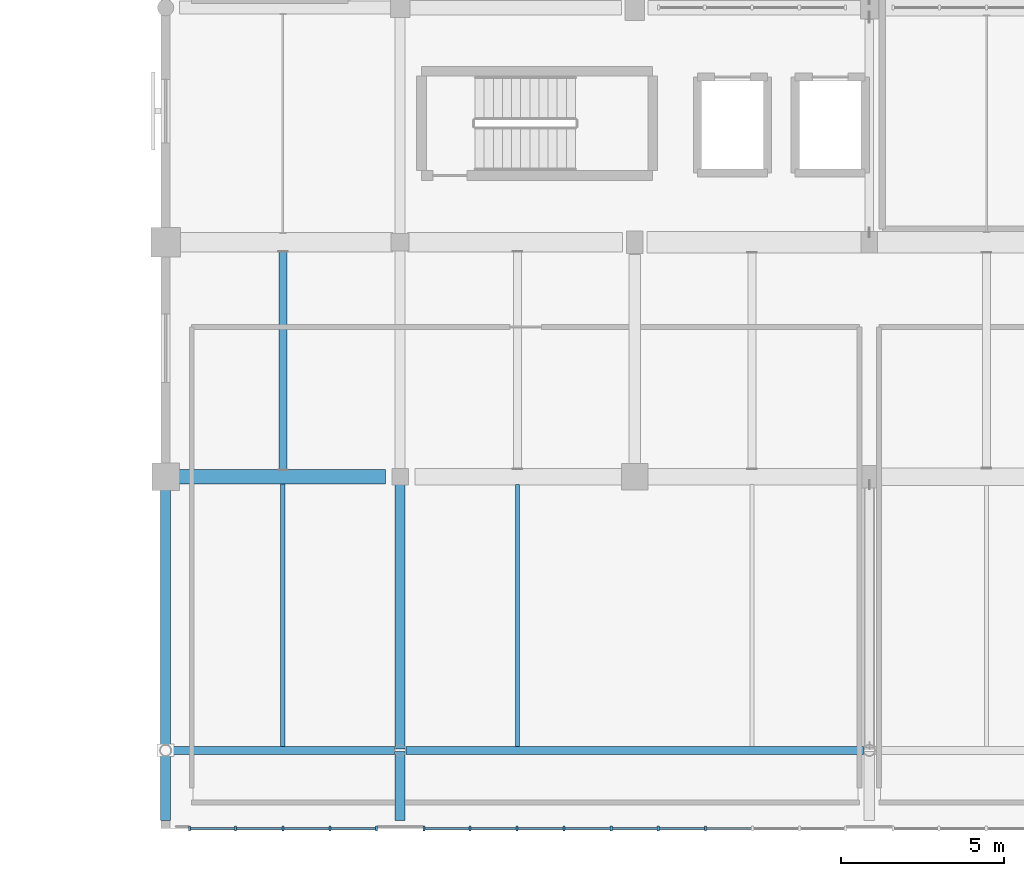
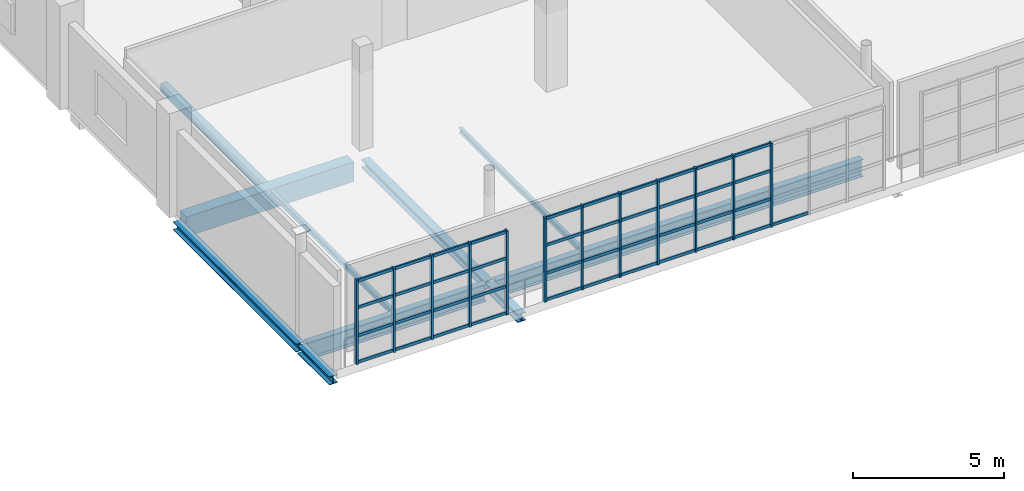
# One storey, part 23 of 90: 53 members, 10 beams, 2 elements without a shape of their own.
"""IFC4 building model written with IfcOpenShell, lengths in metres."""

from ifc_helpers import new_model, si_unit, direction, frame, origin, origin_2d, place, context, subcontext, project, spatial, rectangle, hollow_rectangle, i_section, extrude, material, material_profile, profile_set, type_object, element, aggregate, save


model = new_model("IFC4")

# Units and contexts
model_context = context("Model", 3, precision=1e-05, world=origin(), true_north=direction((0.0, 1.0)))
body_context = subcontext(model_context, "Body", "Model", "MODEL_VIEW")
ifc_project = project(units=[si_unit("LENGTHUNIT", "METRE"), si_unit("AREAUNIT", "SQUARE_METRE"), si_unit("VOLUMEUNIT", "CUBIC_METRE"), si_unit("PLANEANGLEUNIT", "RADIAN"), si_unit("MASSUNIT", "GRAM", prefix="KILO")], contexts=[model_context])

# Site, building, storey
site_placement = place(None, origin())
site = spatial("IfcSite", under=ifc_project, at=site_placement, CompositionType="ELEMENT")
building_placement = place(site_placement, origin())
building = spatial("IfcBuilding", under=site, at=building_placement, Name="Solanera Park Tramway Depot", CompositionType="ELEMENT")
storey_placement = place(building_placement, frame((0.0, 0.0, 9.0)))
storey = spatial("IfcBuildingStorey", under=building, at=storey_placement, Name="L02", CompositionType="ELEMENT", Elevation=9.0)

# Curtain wall, members
ifc_material_1 = material(Name="Bronze-anodised thermally broken aluminium curtain wall", Category="aluminium")
curtain_wall_type = type_object("IfcCurtainWallType", Name="Cantilevered OCC Inclined Glazing Wall", PredefinedType="NOTDEFINED", material=ifc_material_1)
curtain_wall_1_placement = place(storey_placement, origin())
curtain_wall_1 = element("IfcCurtainWall", 1, at=curtain_wall_1_placement, inside=storey, type_object=curtain_wall_type, Name="L02 Cantilevered OCC Inclined Glazing Wall #114", PredefinedType="NOTDEFINED")
ifc_material_2 = material(Name="Bronze-anodised structural aluminium 6063-T6", Category="aluminium")
ifc_material_profile_1 = material_profile(ifc_material_2, rectangle(XDim=0.06494140625, YDim=0.14990234375, at=origin_2d()), Name="Curtain Wall Mullion 65x150")
ifc_profile_set_1 = profile_set([ifc_material_profile_1], Name="Bronze-anodised structural aluminium 6063-T6")
member_type_1 = type_object("IfcMemberType", Name="Curtain Wall Mullion 65x150", PredefinedType="MULLION", material=ifc_profile_set_1)
member_1_placement = place(storey_placement, frame((108.732421875, 0.0, 0.0), z_axis=(0.0, 0.0, 1.0), x_axis=(1.0, 0.0, 0.0)))
member_1 = element("IfcMember", 2, at=member_1_placement, type_object=member_type_1, Name="CW-L02-114 Mullion 1", PredefinedType="MULLION", context=body_context, shape_type="SweptSolid", body=[
    extrude(rectangle(XDim=0.06494140625, YDim=0.14990234375, at=origin_2d()), origin(), (0.0, 0.0, 1.0), 3.39990234375),
])
member_2_placement = place(storey_placement, frame((110.14990234375, 0.0, 0.0), z_axis=(0.0, 0.0, 1.0), x_axis=(1.0, 0.0, 0.0)))
member_2 = element("IfcMember", 3, at=member_2_placement, type_object=member_type_1, Name="CW-L02-114 Mullion 2", PredefinedType="MULLION", context=body_context, shape_type="SweptSolid", body=[
    extrude(rectangle(XDim=0.06494140625, YDim=0.14990234375, at=origin_2d()), origin(), (0.0, 0.0, 1.0), 3.39990234375),
])
member_3_placement = place(storey_placement, frame((111.60009765625, 0.0, 0.0), z_axis=(0.0, 0.0, 1.0), x_axis=(1.0, 0.0, 0.0)))
member_3 = element("IfcMember", 4, at=member_3_placement, type_object=member_type_1, Name="CW-L02-114 Mullion 3", PredefinedType="MULLION", context=body_context, shape_type="SweptSolid", body=[
    extrude(rectangle(XDim=0.06494140625, YDim=0.14990234375, at=origin_2d()), origin(), (0.0, 0.0, 1.0), 3.39990234375),
])
member_4_placement = place(storey_placement, frame((113.050048828125, 0.0, 0.0), z_axis=(0.0, 0.0, 1.0), x_axis=(1.0, 0.0, 0.0)))
member_4 = element("IfcMember", 5, at=member_4_placement, type_object=member_type_1, Name="CW-L02-114 Mullion 4", PredefinedType="MULLION", context=body_context, shape_type="SweptSolid", body=[
    extrude(rectangle(XDim=0.06494140625, YDim=0.14990234375, at=origin_2d()), origin(), (0.0, 0.0, 1.0), 3.39990234375),
])
member_5_placement = place(storey_placement, frame((114.467529296875, 0.0, 0.0), z_axis=(0.0, 0.0, 1.0), x_axis=(1.0, 0.0, 0.0)))
member_5 = element("IfcMember", 6, at=member_5_placement, type_object=member_type_1, Name="CW-L02-114 Mullion 5", PredefinedType="MULLION", context=body_context, shape_type="SweptSolid", body=[
    extrude(rectangle(XDim=0.06494140625, YDim=0.14990234375, at=origin_2d()), origin(), (0.0, 0.0, 1.0), 3.39990234375),
])

curtain_wall_2_placement = place(storey_placement, origin())
curtain_wall_2 = element("IfcCurtainWall", 7, at=curtain_wall_2_placement, inside=storey, type_object=curtain_wall_type, Name="L02 Cantilevered OCC Inclined Glazing Wall #115", PredefinedType="NOTDEFINED")
member_6_placement = place(storey_placement, frame((115.9326171875, 0.0, 0.0), z_axis=(0.0, 0.0, 1.0), x_axis=(1.0, 0.0, 0.0)))
member_6 = element("IfcMember", 8, at=member_6_placement, type_object=member_type_1, Name="CW-L02-115 Mullion 1", PredefinedType="MULLION", context=body_context, shape_type="SweptSolid", body=[
    extrude(rectangle(XDim=0.06494140625, YDim=0.14990234375, at=origin_2d()), origin(), (0.0, 0.0, 1.0), 3.39990234375),
])
member_7_placement = place(storey_placement, frame((117.344482421875, 0.0, 0.0), z_axis=(0.0, 0.0, 1.0), x_axis=(1.0, 0.0, 0.0)))
member_7 = element("IfcMember", 9, at=member_7_placement, type_object=member_type_1, Name="CW-L02-115 Mullion 2", PredefinedType="MULLION", context=body_context, shape_type="SweptSolid", body=[
    extrude(rectangle(XDim=0.06494140625, YDim=0.14990234375, at=origin_2d()), origin(), (0.0, 0.0, 1.0), 3.39990234375),
])
member_8_placement = place(storey_placement, frame((118.788818359375, 0.0, 0.0), z_axis=(0.0, 0.0, 1.0), x_axis=(1.0, 0.0, 0.0)))
member_8 = element("IfcMember", 10, at=member_8_placement, type_object=member_type_1, Name="CW-L02-115 Mullion 3", PredefinedType="MULLION", context=body_context, shape_type="SweptSolid", body=[
    extrude(rectangle(XDim=0.06494140625, YDim=0.14990234375, at=origin_2d()), origin(), (0.0, 0.0, 1.0), 3.39990234375),
])
member_9_placement = place(storey_placement, frame((120.2333984375, 0.0, 0.0), z_axis=(0.0, 0.0, 1.0), x_axis=(1.0, 0.0, 0.0)))
member_9 = element("IfcMember", 11, at=member_9_placement, type_object=member_type_1, Name="CW-L02-115 Mullion 4", PredefinedType="MULLION", context=body_context, shape_type="SweptSolid", body=[
    extrude(rectangle(XDim=0.06494140625, YDim=0.14990234375, at=origin_2d()), origin(), (0.0, 0.0, 1.0), 3.39990234375),
])
member_10_placement = place(storey_placement, frame((121.677734375, 0.0, 0.0), z_axis=(0.0, 0.0, 1.0), x_axis=(1.0, 0.0, 0.0)))
member_10 = element("IfcMember", 12, at=member_10_placement, type_object=member_type_1, Name="CW-L02-115 Mullion 5", PredefinedType="MULLION", context=body_context, shape_type="SweptSolid", body=[
    extrude(rectangle(XDim=0.06494140625, YDim=0.14990234375, at=origin_2d()), origin(), (0.0, 0.0, 1.0), 3.39990234375),
])
member_11_placement = place(storey_placement, frame((123.122314453125, 0.0, 0.0), z_axis=(0.0, 0.0, 1.0), x_axis=(1.0, 0.0, 0.0)))
member_11 = element("IfcMember", 13, at=member_11_placement, type_object=member_type_1, Name="CW-L02-115 Mullion 6", PredefinedType="MULLION", context=body_context, shape_type="SweptSolid", body=[
    extrude(rectangle(XDim=0.06494140625, YDim=0.14990234375, at=origin_2d()), origin(), (0.0, 0.0, 1.0), 3.39990234375),
])
member_12_placement = place(storey_placement, frame((124.566650390625, 0.0, 0.0), z_axis=(0.0, 0.0, 1.0), x_axis=(1.0, 0.0, 0.0)))
member_12 = element("IfcMember", 14, at=member_12_placement, type_object=member_type_1, Name="CW-L02-115 Mullion 7", PredefinedType="MULLION", context=body_context, shape_type="SweptSolid", body=[
    extrude(rectangle(XDim=0.06494140625, YDim=0.14990234375, at=origin_2d()), origin(), (0.0, 0.0, 1.0), 3.39990234375),
])

# Member
ifc_material_3 = material(Name="Bronze-anodised structural aluminium 6063-T6", Category="aluminium")
ifc_material_profile_2 = material_profile(ifc_material_3, rectangle(XDim=0.06494140625, YDim=0.1201171875, at=origin_2d()), Name="Curtain Wall Transom 65x120")
ifc_profile_set_2 = profile_set([ifc_material_profile_2], Name="Bronze-anodised structural aluminium 6063-T6")
member_type_2 = type_object("IfcMemberType", Name="Curtain Wall Transom 65x120", PredefinedType="USERDEFINED", material=ifc_profile_set_2)
member_13_placement = place(storey_placement, frame((108.760498046875, 0.0, 0.06005859375), z_axis=(1.0, 0.0, 0.0), x_axis=(0.0, 1.0, 0.0)))
member_13 = element("IfcMember", 15, at=member_13_placement, type_object=member_type_2, Name="CW-L02-114 Transom R1.C1", ObjectType="TRANSOM", PredefinedType="USERDEFINED", context=body_context, shape_type="SweptSolid", body=[
    extrude(rectangle(XDim=0.06494140625, YDim=0.1201171875, at=origin_2d()), origin(), (0.0, 0.0, 1.0), 1.361572265625),
])

member_14_placement = place(storey_placement, frame((110.177978515625, 0.0, 0.06005859375), z_axis=(1.0, 0.0, 0.0), x_axis=(0.0, 1.0, 0.0)))
member_14 = element("IfcMember", 16, at=member_14_placement, type_object=member_type_2, Name="CW-L02-114 Transom R1.C2", ObjectType="TRANSOM", PredefinedType="USERDEFINED", context=body_context, shape_type="SweptSolid", body=[
    extrude(rectangle(XDim=0.06494140625, YDim=0.1201171875, at=origin_2d()), origin(), (0.0, 0.0, 1.0), 1.39404296875),
])

member_15_placement = place(storey_placement, frame((111.6279296875, 0.0, 0.06005859375), z_axis=(1.0, 0.0, 0.0), x_axis=(0.0, 1.0, 0.0)))
member_15 = element("IfcMember", 17, at=member_15_placement, type_object=member_type_2, Name="CW-L02-114 Transom R1.C3", ObjectType="TRANSOM", PredefinedType="USERDEFINED", context=body_context, shape_type="SweptSolid", body=[
    extrude(rectangle(XDim=0.06494140625, YDim=0.1201171875, at=origin_2d()), origin(), (0.0, 0.0, 1.0), 1.39404296875),
])

member_16_placement = place(storey_placement, frame((113.077880859375, 0.0, 0.06005859375), z_axis=(1.0, 0.0, 0.0), x_axis=(0.0, 1.0, 0.0)))
member_16 = element("IfcMember", 18, at=member_16_placement, type_object=member_type_2, Name="CW-L02-114 Transom R1.C4", ObjectType="TRANSOM", PredefinedType="USERDEFINED", context=body_context, shape_type="SweptSolid", body=[
    extrude(rectangle(XDim=0.06494140625, YDim=0.1201171875, at=origin_2d()), origin(), (0.0, 0.0, 1.0), 1.361572265625),
])

member_17_placement = place(storey_placement, frame((108.760498046875, 0.0, 1.13330078125), z_axis=(1.0, 0.0, 0.0), x_axis=(0.0, 1.0, 0.0)))
member_17 = element("IfcMember", 19, at=member_17_placement, type_object=member_type_2, Name="CW-L02-114 Transom R2.C1", ObjectType="TRANSOM", PredefinedType="USERDEFINED", context=body_context, shape_type="SweptSolid", body=[
    extrude(rectangle(XDim=0.06494140625, YDim=0.1201171875, at=origin_2d()), origin(), (0.0, 0.0, 1.0), 1.361572265625),
])

member_18_placement = place(storey_placement, frame((110.177978515625, 0.0, 1.13330078125), z_axis=(1.0, 0.0, 0.0), x_axis=(0.0, 1.0, 0.0)))
member_18 = element("IfcMember", 20, at=member_18_placement, type_object=member_type_2, Name="CW-L02-114 Transom R2.C2", ObjectType="TRANSOM", PredefinedType="USERDEFINED", context=body_context, shape_type="SweptSolid", body=[
    extrude(rectangle(XDim=0.06494140625, YDim=0.1201171875, at=origin_2d()), origin(), (0.0, 0.0, 1.0), 1.39404296875),
])

member_19_placement = place(storey_placement, frame((111.6279296875, 0.0, 1.13330078125), z_axis=(1.0, 0.0, 0.0), x_axis=(0.0, 1.0, 0.0)))
member_19 = element("IfcMember", 21, at=member_19_placement, type_object=member_type_2, Name="CW-L02-114 Transom R2.C3", ObjectType="TRANSOM", PredefinedType="USERDEFINED", context=body_context, shape_type="SweptSolid", body=[
    extrude(rectangle(XDim=0.06494140625, YDim=0.1201171875, at=origin_2d()), origin(), (0.0, 0.0, 1.0), 1.39404296875),
])

member_20_placement = place(storey_placement, frame((113.077880859375, 0.0, 1.13330078125), z_axis=(1.0, 0.0, 0.0), x_axis=(0.0, 1.0, 0.0)))
member_20 = element("IfcMember", 22, at=member_20_placement, type_object=member_type_2, Name="CW-L02-114 Transom R2.C4", ObjectType="TRANSOM", PredefinedType="USERDEFINED", context=body_context, shape_type="SweptSolid", body=[
    extrude(rectangle(XDim=0.06494140625, YDim=0.1201171875, at=origin_2d()), origin(), (0.0, 0.0, 1.0), 1.361572265625),
])

member_21_placement = place(storey_placement, frame((108.760498046875, 0.0, 2.2666015625), z_axis=(1.0, 0.0, 0.0), x_axis=(0.0, 1.0, 0.0)))
member_21 = element("IfcMember", 23, at=member_21_placement, type_object=member_type_2, Name="CW-L02-114 Transom R3.C1", ObjectType="TRANSOM", PredefinedType="USERDEFINED", context=body_context, shape_type="SweptSolid", body=[
    extrude(rectangle(XDim=0.06494140625, YDim=0.1201171875, at=origin_2d()), origin(), (0.0, 0.0, 1.0), 1.361572265625),
])

member_22_placement = place(storey_placement, frame((110.177978515625, 0.0, 2.2666015625), z_axis=(1.0, 0.0, 0.0), x_axis=(0.0, 1.0, 0.0)))
member_22 = element("IfcMember", 24, at=member_22_placement, type_object=member_type_2, Name="CW-L02-114 Transom R3.C2", ObjectType="TRANSOM", PredefinedType="USERDEFINED", context=body_context, shape_type="SweptSolid", body=[
    extrude(rectangle(XDim=0.06494140625, YDim=0.1201171875, at=origin_2d()), origin(), (0.0, 0.0, 1.0), 1.39404296875),
])

member_23_placement = place(storey_placement, frame((111.6279296875, 0.0, 2.2666015625), z_axis=(1.0, 0.0, 0.0), x_axis=(0.0, 1.0, 0.0)))
member_23 = element("IfcMember", 25, at=member_23_placement, type_object=member_type_2, Name="CW-L02-114 Transom R3.C3", ObjectType="TRANSOM", PredefinedType="USERDEFINED", context=body_context, shape_type="SweptSolid", body=[
    extrude(rectangle(XDim=0.06494140625, YDim=0.1201171875, at=origin_2d()), origin(), (0.0, 0.0, 1.0), 1.39404296875),
])

member_24_placement = place(storey_placement, frame((113.077880859375, 0.0, 2.2666015625), z_axis=(1.0, 0.0, 0.0), x_axis=(0.0, 1.0, 0.0)))
member_24 = element("IfcMember", 26, at=member_24_placement, type_object=member_type_2, Name="CW-L02-114 Transom R3.C4", ObjectType="TRANSOM", PredefinedType="USERDEFINED", context=body_context, shape_type="SweptSolid", body=[
    extrude(rectangle(XDim=0.06494140625, YDim=0.1201171875, at=origin_2d()), origin(), (0.0, 0.0, 1.0), 1.361572265625),
])

member_25_placement = place(storey_placement, frame((108.760498046875, 0.0, 3.340087890625), z_axis=(1.0, 0.0, 0.0), x_axis=(0.0, 1.0, 0.0)))
member_25 = element("IfcMember", 27, at=member_25_placement, type_object=member_type_2, Name="CW-L02-114 Transom R4.C1", ObjectType="TRANSOM", PredefinedType="USERDEFINED", context=body_context, shape_type="SweptSolid", body=[
    extrude(rectangle(XDim=0.06494140625, YDim=0.1201171875, at=origin_2d()), origin(), (0.0, 0.0, 1.0), 1.361572265625),
])

member_26_placement = place(storey_placement, frame((110.177978515625, 0.0, 3.340087890625), z_axis=(1.0, 0.0, 0.0), x_axis=(0.0, 1.0, 0.0)))
member_26 = element("IfcMember", 28, at=member_26_placement, type_object=member_type_2, Name="CW-L02-114 Transom R4.C2", ObjectType="TRANSOM", PredefinedType="USERDEFINED", context=body_context, shape_type="SweptSolid", body=[
    extrude(rectangle(XDim=0.06494140625, YDim=0.1201171875, at=origin_2d()), origin(), (0.0, 0.0, 1.0), 1.39404296875),
])

member_27_placement = place(storey_placement, frame((111.6279296875, 0.0, 3.340087890625), z_axis=(1.0, 0.0, 0.0), x_axis=(0.0, 1.0, 0.0)))
member_27 = element("IfcMember", 29, at=member_27_placement, type_object=member_type_2, Name="CW-L02-114 Transom R4.C3", ObjectType="TRANSOM", PredefinedType="USERDEFINED", context=body_context, shape_type="SweptSolid", body=[
    extrude(rectangle(XDim=0.06494140625, YDim=0.1201171875, at=origin_2d()), origin(), (0.0, 0.0, 1.0), 1.39404296875),
])

member_28_placement = place(storey_placement, frame((113.077880859375, 0.0, 3.340087890625), z_axis=(1.0, 0.0, 0.0), x_axis=(0.0, 1.0, 0.0)))
member_28 = element("IfcMember", 30, at=member_28_placement, type_object=member_type_2, Name="CW-L02-114 Transom R4.C4", ObjectType="TRANSOM", PredefinedType="USERDEFINED", context=body_context, shape_type="SweptSolid", body=[
    extrude(rectangle(XDim=0.06494140625, YDim=0.1201171875, at=origin_2d()), origin(), (0.0, 0.0, 1.0), 1.361572265625),
])

aggregate(curtain_wall_1, [member_1, member_2, member_3, member_4, member_5, member_13, member_14, member_15, member_16, member_17, member_18, member_19, member_20, member_21, member_22, member_23, member_24, member_25, member_26, member_27, member_28])

member_29_placement = place(storey_placement, frame((115.96044921875, 0.0, 0.06005859375), z_axis=(1.0, 0.0, 0.0), x_axis=(0.0, 1.0, 0.0)))
member_29 = element("IfcMember", 31, at=member_29_placement, type_object=member_type_2, Name="CW-L02-115 Transom R1.C1", ObjectType="TRANSOM", PredefinedType="USERDEFINED", context=body_context, shape_type="SweptSolid", body=[
    extrude(rectangle(XDim=0.06494140625, YDim=0.1201171875, at=origin_2d()), origin(), (0.0, 0.0, 1.0), 1.35595703125),
])

member_30_placement = place(storey_placement, frame((117.372314453125, 0.0, 0.06005859375), z_axis=(1.0, 0.0, 0.0), x_axis=(0.0, 1.0, 0.0)))
member_30 = element("IfcMember", 32, at=member_30_placement, type_object=member_type_2, Name="CW-L02-115 Transom R1.C2", ObjectType="TRANSOM", PredefinedType="USERDEFINED", context=body_context, shape_type="SweptSolid", body=[
    extrude(rectangle(XDim=0.06494140625, YDim=0.1201171875, at=origin_2d()), origin(), (0.0, 0.0, 1.0), 1.388671875),
])

member_31_placement = place(storey_placement, frame((118.81689453125, 0.0, 0.06005859375), z_axis=(1.0, 0.0, 0.0), x_axis=(0.0, 1.0, 0.0)))
member_31 = element("IfcMember", 33, at=member_31_placement, type_object=member_type_2, Name="CW-L02-115 Transom R1.C3", ObjectType="TRANSOM", PredefinedType="USERDEFINED", context=body_context, shape_type="SweptSolid", body=[
    extrude(rectangle(XDim=0.06494140625, YDim=0.1201171875, at=origin_2d()), origin(), (0.0, 0.0, 1.0), 1.388427734375),
])

member_32_placement = place(storey_placement, frame((120.26123046875, 0.0, 0.06005859375), z_axis=(1.0, 0.0, 0.0), x_axis=(0.0, 1.0, 0.0)))
member_32 = element("IfcMember", 34, at=member_32_placement, type_object=member_type_2, Name="CW-L02-115 Transom R1.C4", ObjectType="TRANSOM", PredefinedType="USERDEFINED", context=body_context, shape_type="SweptSolid", body=[
    extrude(rectangle(XDim=0.06494140625, YDim=0.1201171875, at=origin_2d()), origin(), (0.0, 0.0, 1.0), 1.388671875),
])

member_33_placement = place(storey_placement, frame((121.705810546875, 0.0, 0.06005859375), z_axis=(1.0, 0.0, 0.0), x_axis=(0.0, 1.0, 0.0)))
member_33 = element("IfcMember", 35, at=member_33_placement, type_object=member_type_2, Name="CW-L02-115 Transom R1.C5", ObjectType="TRANSOM", PredefinedType="USERDEFINED", context=body_context, shape_type="SweptSolid", body=[
    extrude(rectangle(XDim=0.06494140625, YDim=0.1201171875, at=origin_2d()), origin(), (0.0, 0.0, 1.0), 1.388427734375),
])

member_34_placement = place(storey_placement, frame((123.150146484375, 0.0, 0.06005859375), z_axis=(1.0, 0.0, 0.0), x_axis=(0.0, 1.0, 0.0)))
member_34 = element("IfcMember", 36, at=member_34_placement, type_object=member_type_2, Name="CW-L02-115 Transom R1.C6", ObjectType="TRANSOM", PredefinedType="USERDEFINED", context=body_context, shape_type="SweptSolid", body=[
    extrude(rectangle(XDim=0.06494140625, YDim=0.1201171875, at=origin_2d()), origin(), (0.0, 0.0, 1.0), 1.388671875),
])

member_35_placement = place(storey_placement, frame((124.5947265625, 0.0, 0.06005859375), z_axis=(1.0, 0.0, 0.0), x_axis=(0.0, 1.0, 0.0)))
member_35 = element("IfcMember", 37, at=member_35_placement, type_object=member_type_2, Name="CW-L02-115 Transom R1.C7", ObjectType="TRANSOM", PredefinedType="USERDEFINED", context=body_context, shape_type="SweptSolid", body=[
    extrude(rectangle(XDim=0.06494140625, YDim=0.1201171875, at=origin_2d()), origin(), (0.0, 0.0, 1.0), 1.388427734375),
])

member_36_placement = place(storey_placement, frame((115.96044921875, 0.0, 1.13330078125), z_axis=(1.0, 0.0, 0.0), x_axis=(0.0, 1.0, 0.0)))
member_36 = element("IfcMember", 38, at=member_36_placement, type_object=member_type_2, Name="CW-L02-115 Transom R2.C1", ObjectType="TRANSOM", PredefinedType="USERDEFINED", context=body_context, shape_type="SweptSolid", body=[
    extrude(rectangle(XDim=0.06494140625, YDim=0.1201171875, at=origin_2d()), origin(), (0.0, 0.0, 1.0), 1.35595703125),
])

member_37_placement = place(storey_placement, frame((117.372314453125, 0.0, 1.13330078125), z_axis=(1.0, 0.0, 0.0), x_axis=(0.0, 1.0, 0.0)))
member_37 = element("IfcMember", 39, at=member_37_placement, type_object=member_type_2, Name="CW-L02-115 Transom R2.C2", ObjectType="TRANSOM", PredefinedType="USERDEFINED", context=body_context, shape_type="SweptSolid", body=[
    extrude(rectangle(XDim=0.06494140625, YDim=0.1201171875, at=origin_2d()), origin(), (0.0, 0.0, 1.0), 1.388671875),
])

member_38_placement = place(storey_placement, frame((118.81689453125, 0.0, 1.13330078125), z_axis=(1.0, 0.0, 0.0), x_axis=(0.0, 1.0, 0.0)))
member_38 = element("IfcMember", 40, at=member_38_placement, type_object=member_type_2, Name="CW-L02-115 Transom R2.C3", ObjectType="TRANSOM", PredefinedType="USERDEFINED", context=body_context, shape_type="SweptSolid", body=[
    extrude(rectangle(XDim=0.06494140625, YDim=0.1201171875, at=origin_2d()), origin(), (0.0, 0.0, 1.0), 1.388427734375),
])

member_39_placement = place(storey_placement, frame((120.26123046875, 0.0, 1.13330078125), z_axis=(1.0, 0.0, 0.0), x_axis=(0.0, 1.0, 0.0)))
member_39 = element("IfcMember", 41, at=member_39_placement, type_object=member_type_2, Name="CW-L02-115 Transom R2.C4", ObjectType="TRANSOM", PredefinedType="USERDEFINED", context=body_context, shape_type="SweptSolid", body=[
    extrude(rectangle(XDim=0.06494140625, YDim=0.1201171875, at=origin_2d()), origin(), (0.0, 0.0, 1.0), 1.388671875),
])

member_40_placement = place(storey_placement, frame((121.705810546875, 0.0, 1.13330078125), z_axis=(1.0, 0.0, 0.0), x_axis=(0.0, 1.0, 0.0)))
member_40 = element("IfcMember", 42, at=member_40_placement, type_object=member_type_2, Name="CW-L02-115 Transom R2.C5", ObjectType="TRANSOM", PredefinedType="USERDEFINED", context=body_context, shape_type="SweptSolid", body=[
    extrude(rectangle(XDim=0.06494140625, YDim=0.1201171875, at=origin_2d()), origin(), (0.0, 0.0, 1.0), 1.388427734375),
])

member_41_placement = place(storey_placement, frame((123.150146484375, 0.0, 1.13330078125), z_axis=(1.0, 0.0, 0.0), x_axis=(0.0, 1.0, 0.0)))
member_41 = element("IfcMember", 43, at=member_41_placement, type_object=member_type_2, Name="CW-L02-115 Transom R2.C6", ObjectType="TRANSOM", PredefinedType="USERDEFINED", context=body_context, shape_type="SweptSolid", body=[
    extrude(rectangle(XDim=0.06494140625, YDim=0.1201171875, at=origin_2d()), origin(), (0.0, 0.0, 1.0), 1.388671875),
])

member_42_placement = place(storey_placement, frame((115.96044921875, 0.0, 2.2666015625), z_axis=(1.0, 0.0, 0.0), x_axis=(0.0, 1.0, 0.0)))
member_42 = element("IfcMember", 44, at=member_42_placement, type_object=member_type_2, Name="CW-L02-115 Transom R3.C1", ObjectType="TRANSOM", PredefinedType="USERDEFINED", context=body_context, shape_type="SweptSolid", body=[
    extrude(rectangle(XDim=0.06494140625, YDim=0.1201171875, at=origin_2d()), origin(), (0.0, 0.0, 1.0), 1.35595703125),
])

member_43_placement = place(storey_placement, frame((117.372314453125, 0.0, 2.2666015625), z_axis=(1.0, 0.0, 0.0), x_axis=(0.0, 1.0, 0.0)))
member_43 = element("IfcMember", 45, at=member_43_placement, type_object=member_type_2, Name="CW-L02-115 Transom R3.C2", ObjectType="TRANSOM", PredefinedType="USERDEFINED", context=body_context, shape_type="SweptSolid", body=[
    extrude(rectangle(XDim=0.06494140625, YDim=0.1201171875, at=origin_2d()), origin(), (0.0, 0.0, 1.0), 1.388671875),
])

member_44_placement = place(storey_placement, frame((118.81689453125, 0.0, 2.2666015625), z_axis=(1.0, 0.0, 0.0), x_axis=(0.0, 1.0, 0.0)))
member_44 = element("IfcMember", 46, at=member_44_placement, type_object=member_type_2, Name="CW-L02-115 Transom R3.C3", ObjectType="TRANSOM", PredefinedType="USERDEFINED", context=body_context, shape_type="SweptSolid", body=[
    extrude(rectangle(XDim=0.06494140625, YDim=0.1201171875, at=origin_2d()), origin(), (0.0, 0.0, 1.0), 1.388427734375),
])

member_45_placement = place(storey_placement, frame((120.26123046875, 0.0, 2.2666015625), z_axis=(1.0, 0.0, 0.0), x_axis=(0.0, 1.0, 0.0)))
member_45 = element("IfcMember", 47, at=member_45_placement, type_object=member_type_2, Name="CW-L02-115 Transom R3.C4", ObjectType="TRANSOM", PredefinedType="USERDEFINED", context=body_context, shape_type="SweptSolid", body=[
    extrude(rectangle(XDim=0.06494140625, YDim=0.1201171875, at=origin_2d()), origin(), (0.0, 0.0, 1.0), 1.388671875),
])

member_46_placement = place(storey_placement, frame((121.705810546875, 0.0, 2.2666015625), z_axis=(1.0, 0.0, 0.0), x_axis=(0.0, 1.0, 0.0)))
member_46 = element("IfcMember", 48, at=member_46_placement, type_object=member_type_2, Name="CW-L02-115 Transom R3.C5", ObjectType="TRANSOM", PredefinedType="USERDEFINED", context=body_context, shape_type="SweptSolid", body=[
    extrude(rectangle(XDim=0.06494140625, YDim=0.1201171875, at=origin_2d()), origin(), (0.0, 0.0, 1.0), 1.388427734375),
])

member_47_placement = place(storey_placement, frame((123.150146484375, 0.0, 2.2666015625), z_axis=(1.0, 0.0, 0.0), x_axis=(0.0, 1.0, 0.0)))
member_47 = element("IfcMember", 49, at=member_47_placement, type_object=member_type_2, Name="CW-L02-115 Transom R3.C6", ObjectType="TRANSOM", PredefinedType="USERDEFINED", context=body_context, shape_type="SweptSolid", body=[
    extrude(rectangle(XDim=0.06494140625, YDim=0.1201171875, at=origin_2d()), origin(), (0.0, 0.0, 1.0), 1.388671875),
])

member_48_placement = place(storey_placement, frame((115.96044921875, 0.0, 3.340087890625), z_axis=(1.0, 0.0, 0.0), x_axis=(0.0, 1.0, 0.0)))
member_48 = element("IfcMember", 50, at=member_48_placement, type_object=member_type_2, Name="CW-L02-115 Transom R4.C1", ObjectType="TRANSOM", PredefinedType="USERDEFINED", context=body_context, shape_type="SweptSolid", body=[
    extrude(rectangle(XDim=0.06494140625, YDim=0.1201171875, at=origin_2d()), origin(), (0.0, 0.0, 1.0), 1.35595703125),
])

member_49_placement = place(storey_placement, frame((117.372314453125, 0.0, 3.340087890625), z_axis=(1.0, 0.0, 0.0), x_axis=(0.0, 1.0, 0.0)))
member_49 = element("IfcMember", 51, at=member_49_placement, type_object=member_type_2, Name="CW-L02-115 Transom R4.C2", ObjectType="TRANSOM", PredefinedType="USERDEFINED", context=body_context, shape_type="SweptSolid", body=[
    extrude(rectangle(XDim=0.06494140625, YDim=0.1201171875, at=origin_2d()), origin(), (0.0, 0.0, 1.0), 1.388671875),
])

member_50_placement = place(storey_placement, frame((118.81689453125, 0.0, 3.340087890625), z_axis=(1.0, 0.0, 0.0), x_axis=(0.0, 1.0, 0.0)))
member_50 = element("IfcMember", 52, at=member_50_placement, type_object=member_type_2, Name="CW-L02-115 Transom R4.C3", ObjectType="TRANSOM", PredefinedType="USERDEFINED", context=body_context, shape_type="SweptSolid", body=[
    extrude(rectangle(XDim=0.06494140625, YDim=0.1201171875, at=origin_2d()), origin(), (0.0, 0.0, 1.0), 1.388427734375),
])

member_51_placement = place(storey_placement, frame((120.26123046875, 0.0, 3.340087890625), z_axis=(1.0, 0.0, 0.0), x_axis=(0.0, 1.0, 0.0)))
member_51 = element("IfcMember", 53, at=member_51_placement, type_object=member_type_2, Name="CW-L02-115 Transom R4.C4", ObjectType="TRANSOM", PredefinedType="USERDEFINED", context=body_context, shape_type="SweptSolid", body=[
    extrude(rectangle(XDim=0.06494140625, YDim=0.1201171875, at=origin_2d()), origin(), (0.0, 0.0, 1.0), 1.388671875),
])

member_52_placement = place(storey_placement, frame((121.705810546875, 0.0, 3.340087890625), z_axis=(1.0, 0.0, 0.0), x_axis=(0.0, 1.0, 0.0)))
member_52 = element("IfcMember", 54, at=member_52_placement, type_object=member_type_2, Name="CW-L02-115 Transom R4.C5", ObjectType="TRANSOM", PredefinedType="USERDEFINED", context=body_context, shape_type="SweptSolid", body=[
    extrude(rectangle(XDim=0.06494140625, YDim=0.1201171875, at=origin_2d()), origin(), (0.0, 0.0, 1.0), 1.388427734375),
])

member_53_placement = place(storey_placement, frame((123.150146484375, 0.0, 3.340087890625), z_axis=(1.0, 0.0, 0.0), x_axis=(0.0, 1.0, 0.0)))
member_53 = element("IfcMember", 55, at=member_53_placement, type_object=member_type_2, Name="CW-L02-115 Transom R4.C6", ObjectType="TRANSOM", PredefinedType="USERDEFINED", context=body_context, shape_type="SweptSolid", body=[
    extrude(rectangle(XDim=0.06494140625, YDim=0.1201171875, at=origin_2d()), origin(), (0.0, 0.0, 1.0), 1.388671875),
])

aggregate(curtain_wall_2, [member_6, member_7, member_8, member_9, member_10, member_11, member_12, member_29, member_30, member_31, member_32, member_33, member_34, member_35, member_36, member_37, member_38, member_39, member_40, member_41, member_42, member_43, member_44, member_45, member_46, member_47, member_48, member_49, member_50, member_51, member_52, member_53])

# Beams
ifc_material_4 = material(Name="Concrete N40 (C40/50)", Category="concrete")
ifc_material_profile_3 = material_profile(ifc_material_4, rectangle(XDim=0.449951171875, YDim=0.800048828125, at=origin_2d()), Name="RCB 450x800")
ifc_profile_set_3 = profile_set([ifc_material_profile_3], Name="Concrete N40 (C40/50)")
beam_type_1 = type_object("IfcBeamType", Name="RC Floor Beam RCB 450x800", PredefinedType="BEAM", material=ifc_profile_set_3)
beam_1_placement = place(storey_placement, frame((108.35009765625, 10.800048828125, -0.763916015625), z_axis=(1.0, 0.0, 0.0), x_axis=(0.0, 1.0, 0.0)))
element("IfcBeam", 56, at=beam_1_placement, inside=storey, type_object=beam_type_1, Name="L02 Primary X-Girder RCB 450x800 #0098", PredefinedType="BEAM", context=body_context, shape_type="SweptSolid", body=[
    extrude(rectangle(XDim=0.449951171875, YDim=0.800048828125, at=origin_2d()), origin(), (0.0, 0.0, 1.0), 6.39990234375),
])
ifc_material_5 = material(Name="Steel AS/NZS 3679.1 Grade 350", Category="steel")
ifc_material_profile_4 = material_profile(ifc_material_5, i_section(OverallWidth=0.310546875, OverallDepth=0.3271484375, WebThickness=0.015625, FlangeThickness=0.02490234375, at=origin_2d()), Name="310UC158")
ifc_profile_set_4 = profile_set([ifc_material_profile_4], Name="Steel AS/NZS 3679.1 Grade 350")
beam_type_2 = type_object("IfcBeamType", Name="Steel Beam 310UC158", PredefinedType="BEAM", material=ifc_profile_set_4)
beam_2_placement = place(storey_placement, frame((115.199951171875, 0.25, -0.550048828125), z_axis=(0.0, 1.0, 0.0), x_axis=(-1.0, 0.0, 0.0)))
element("IfcBeam", 57, at=beam_2_placement, inside=storey, type_object=beam_type_2, Name="L02 Transfer Truss Nose Cantilever 310UC158 #0302", PredefinedType="BEAM", context=body_context, shape_type="SweptSolid", body=[
    extrude(i_section(OverallWidth=0.310546875, OverallDepth=0.3271484375, WebThickness=0.015625, FlangeThickness=0.02490234375, at=origin_2d()), origin(), (0.0, 0.0, 1.0), 2.110107421875),
])
beam_3_placement = place(storey_placement, frame((115.199951171875, 2.43994140625, -0.550048828125), z_axis=(0.0, 1.0, 0.0), x_axis=(-1.0, 0.0, 0.0)))
element("IfcBeam", 58, at=beam_3_placement, inside=storey, type_object=beam_type_2, Name="L02 Transfer Truss Overhang Chord 310UC158 #0303", PredefinedType="BEAM", context=body_context, shape_type="SweptSolid", body=[
    extrude(i_section(OverallWidth=0.310546875, OverallDepth=0.3271484375, WebThickness=0.015625, FlangeThickness=0.02490234375, at=origin_2d()), origin(), (0.0, 0.0, 1.0), 8.16015625),
])
beam_4_placement = place(storey_placement, frame((108.0, 0.25, -0.550048828125), z_axis=(0.0, 1.0, 0.0), x_axis=(-1.0, 0.0, 0.0)))
element("IfcBeam", 59, at=beam_4_placement, inside=storey, type_object=beam_type_2, Name="L02 Azotea Nose Cantilever 310UC158 #0346", PredefinedType="BEAM", context=body_context, shape_type="SweptSolid", body=[
    extrude(i_section(OverallWidth=0.310546875, OverallDepth=0.3271484375, WebThickness=0.015625, FlangeThickness=0.02490234375, at=origin_2d()), origin(), (0.0, 0.0, 1.0), 2.110107421875),
])
beam_5_placement = place(storey_placement, frame((108.0, 2.43994140625, -0.550048828125), z_axis=(0.0, 1.0, 0.0), x_axis=(-1.0, 0.0, 0.0)))
element("IfcBeam", 60, at=beam_5_placement, inside=storey, type_object=beam_type_2, Name="L02 Azotea Backspan Tie Girder 310UC158 #0347", PredefinedType="BEAM", context=body_context, shape_type="SweptSolid", body=[
    extrude(i_section(OverallWidth=0.310546875, OverallDepth=0.3271484375, WebThickness=0.015625, FlangeThickness=0.02490234375, at=origin_2d()), origin(), (0.0, 0.0, 1.0), 8.16015625),
])
ifc_material_6 = material(Name="Steel AS/NZS 3679.1 Grade 350", Category="steel")
ifc_material_profile_5 = material_profile(ifc_material_6, i_section(OverallWidth=0.25, OverallDepth=0.699951171875, WebThickness=0.010009765625, FlangeThickness=0.02001953125, at=origin_2d()), Name="700WB130")
ifc_profile_set_5 = profile_set([ifc_material_profile_5], Name="Steel AS/NZS 3679.1 Grade 350")
beam_type_3 = type_object("IfcBeamType", Name="Steel Beam 700WB130", PredefinedType="BEAM", material=ifc_profile_set_5)
beam_6_placement = place(storey_placement, frame((108.179931640625, 2.39990234375, -0.715087890625), z_axis=(1.0, 0.0, 0.0), x_axis=(0.0, 1.0, 0.0)))
element("IfcBeam", 61, at=beam_6_placement, inside=storey, type_object=beam_type_3, Name="L02 Head-Block Transfer Tie Girder 700WB130 #0354", PredefinedType="BEAM", context=body_context, shape_type="SweptSolid", body=[
    extrude(i_section(OverallWidth=0.25, OverallDepth=0.699951171875, WebThickness=0.010009765625, FlangeThickness=0.02001953125, at=origin_2d()), origin(), (0.0, 0.0, 1.0), 6.840087890625),
])
beam_7_placement = place(storey_placement, frame((115.3798828125, 2.39990234375, -0.715087890625), z_axis=(1.0, 0.0, 0.0), x_axis=(0.0, 1.0, 0.0)))
element("IfcBeam", 62, at=beam_7_placement, inside=storey, type_object=beam_type_3, Name="L02 Head-Block Transfer Tie Girder 700WB130 #0355", PredefinedType="BEAM", context=body_context, shape_type="SweptSolid", body=[
    extrude(i_section(OverallWidth=0.25, OverallDepth=0.699951171875, WebThickness=0.010009765625, FlangeThickness=0.02001953125, at=origin_2d()), origin(), (0.0, 0.0, 1.0), 14.0400390625),
])
ifc_material_7 = material(Name="Steel AS/NZS 3679.1 Grade 350", Category="steel")
ifc_material_profile_6 = material_profile(ifc_material_7, i_section(OverallWidth=0.13330078125, OverallDepth=0.203125, WebThickness=0.005859375, FlangeThickness=0.0078125, at=origin_2d()), Name="200UB25.4")
ifc_profile_set_6 = profile_set([ifc_material_profile_6], Name="Steel AS/NZS 3679.1 Grade 350")
beam_type_4 = type_object("IfcBeamType", Name="Steel Joist Purlin 200UB25.4", PredefinedType="JOIST", material=ifc_profile_set_6)
beam_8_placement = place(storey_placement, frame((111.60009765625, 2.51708984375, -0.465576171875), z_axis=(0.0, 1.0, 0.0), x_axis=(-1.0, 0.0, 0.0)))
element("IfcBeam", 63, at=beam_8_placement, inside=storey, type_object=beam_type_4, Name="L02 Secondary Floor Joist 200UB25.4 #0160", PredefinedType="JOIST", context=body_context, shape_type="SweptSolid", body=[
    extrude(i_section(OverallWidth=0.13330078125, OverallDepth=0.203125, WebThickness=0.005859375, FlangeThickness=0.0078125, at=origin_2d()), origin(), (0.0, 0.0, 1.0), 8.06591796875),
])
beam_9_placement = place(storey_placement, frame((118.800048828125, 2.51708984375, -0.465576171875), z_axis=(0.0, 1.0, 0.0), x_axis=(-1.0, 0.0, 0.0)))
element("IfcBeam", 64, at=beam_9_placement, inside=storey, type_object=beam_type_4, Name="L02 Secondary Floor Joist 200UB25.4 #0161", PredefinedType="JOIST", context=body_context, shape_type="SweptSolid", body=[
    extrude(i_section(OverallWidth=0.13330078125, OverallDepth=0.203125, WebThickness=0.005859375, FlangeThickness=0.0078125, at=origin_2d()), origin(), (0.0, 0.0, 1.0), 8.041015625),
])
ifc_material_8 = material(Name="Steel AS/NZS 1163 Grade C350L0", Category="steel")
ifc_material_profile_7 = material_profile(ifc_material_8, hollow_rectangle(XDim=0.25, YDim=0.35009765625, WallThickness=0.010009765625, at=origin_2d()), Name="350x250x10.0 RHS")
ifc_profile_set_7 = profile_set([ifc_material_profile_7], Name="Steel AS/NZS 1163 Grade C350L0")
beam_type_5 = type_object("IfcBeamType", Name="Steel Joist Purlin 350x250x10.0 RHS", PredefinedType="JOIST", material=ifc_profile_set_7)
beam_10_placement = place(storey_placement, frame((111.60009765625, 11.01708984375, -0.5390625), z_axis=(0.0, 1.0, 0.0), x_axis=(-1.0, 0.0, 0.0)))
element("IfcBeam", 65, at=beam_10_placement, inside=storey, type_object=beam_type_5, Name="L02 Secondary Floor Joist 350x250x10.0 RHS #0171", PredefinedType="JOIST", context=body_context, shape_type="SweptSolid", body=[
    extrude(hollow_rectangle(XDim=0.25, YDim=0.35009765625, WallThickness=0.010009765625, at=origin_2d()), origin(), (0.0, 0.0, 1.0), 6.69091796875),
])

save(model, "model.ifc")
